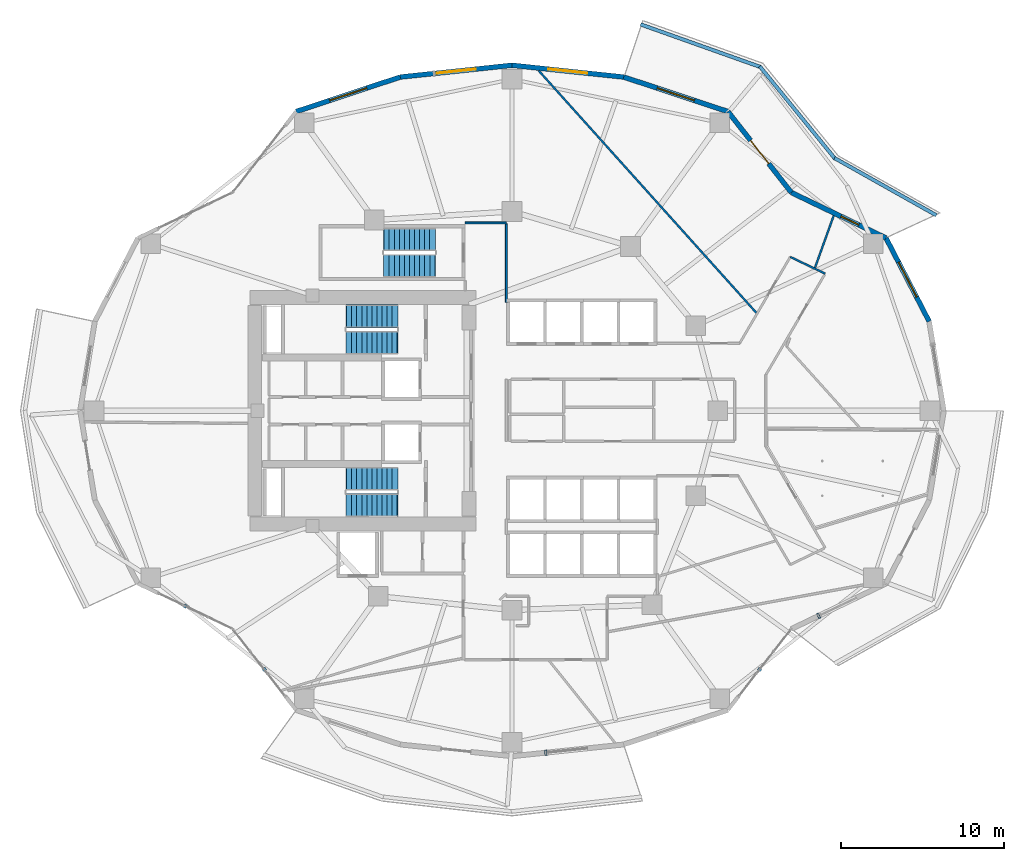
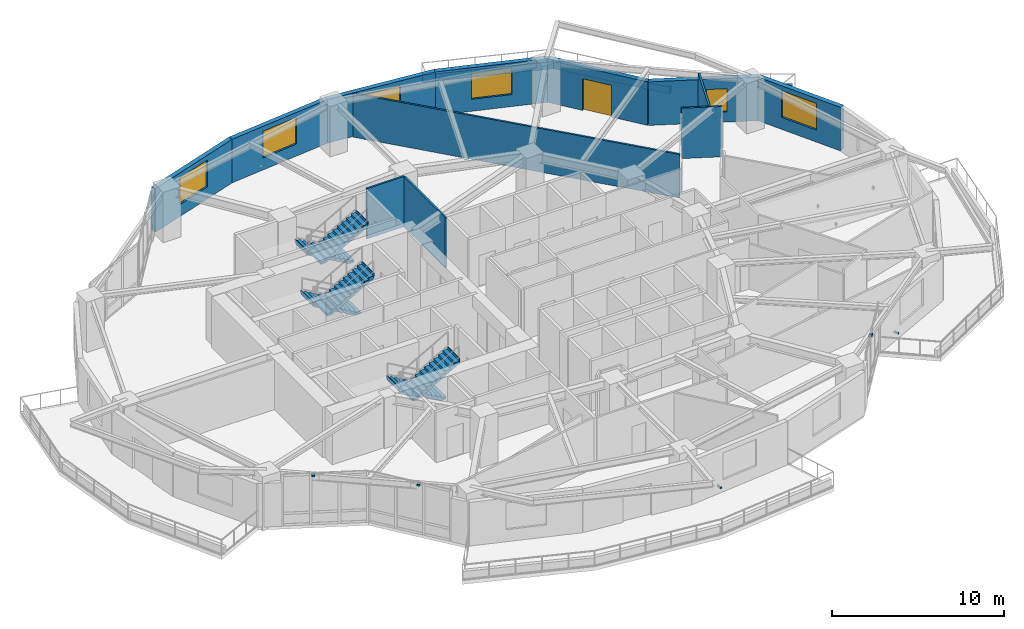
# One storey, part 12 of 18: 15 walls, 6 stair flights, 6 windows, 5 discrete accessories, 1 door, 7 openings, 3 elements without a shape of their own.
"""IFC4 building model written with IfcOpenShell, lengths in metres."""

from ifc_helpers import new_model, si_unit, direction, frame, frame_2d, origin, origin_2d, place, context, subcontext, project, spatial, polyline, rectangle, outline, extrude, material, layer, layer_set, type_object, element, fill, aggregate, save


model = new_model("IFC4")

# Units and contexts
model_context = context("Model", 3, precision=1e-05, world=origin(), true_north=direction((0.0, 1.0)))
body_context = subcontext(model_context, "Body", "Model", "MODEL_VIEW")
ifc_project = project(units=[si_unit("LENGTHUNIT", "METRE"), si_unit("AREAUNIT", "SQUARE_METRE"), si_unit("VOLUMEUNIT", "CUBIC_METRE"), si_unit("PLANEANGLEUNIT", "RADIAN"), si_unit("MASSUNIT", "GRAM", prefix="KILO")], contexts=[model_context])

# Site, building, storey
site_placement = place(None, origin())
site = spatial("IfcSite", under=ifc_project, at=site_placement, CompositionType="ELEMENT")
building_placement = place(site_placement, origin())
building = spatial("IfcBuilding", under=site, at=building_placement, Name="Kolvaren Gate Tower and Convention Centre", CompositionType="ELEMENT")
storey_placement = place(building_placement, frame((0.0, 0.0, 53.449951171875)))
storey = spatial("IfcBuildingStorey", under=building, at=storey_placement, Name="L12", CompositionType="ELEMENT", Elevation=53.449951171875)

# Walls
ifc_material_1 = material(Name="Fire-Rated Acoustic Gypsum Stud Partition", Category="gypsum")
ifc_layer_1 = layer(ifc_material_1, 0.1201171875)
ifc_layer_set_1 = layer_set([ifc_layer_1], Name="Fire-Rated Acoustic Gypsum Stud Partition")
wall_type_1 = type_object("IfcWallType", Name="ARCH-WL-PART-120", PredefinedType="PARTITIONING", material=ifc_layer_set_1)
wall_1_placement = place(storey_placement, frame((27.25, 38.5, 0.0), z_axis=(0.0, 0.0, 1.0), x_axis=(1.0, 0.0, 0.0)))
element("IfcWall", 1, at=wall_1_placement, inside=storey, type_object=wall_type_1, Name="Interior Partition WL-L12-INT-027", PredefinedType="PARTITIONING", context=body_context, shape_type="SweptSolid", body=[
    extrude(rectangle(XDim=2.530029296875, YDim=0.1201171875, at=frame_2d((1.26513671875, 0.0))), origin(), (0.0, 0.0, 1.0), 3.570068359375),
])
wall_2_placement = place(storey_placement, frame((29.780029296875, 33.639892578125, 0.0), z_axis=(0.0, 0.0, 1.0), x_axis=(0.0, 1.0, 0.0)))
element("IfcWall", 2, at=wall_2_placement, inside=storey, type_object=wall_type_1, Name="Interior Partition WL-L12-INT-030", PredefinedType="PARTITIONING", context=body_context, shape_type="SweptSolid", body=[
    extrude(rectangle(XDim=4.798095703125, YDim=0.1201171875, at=frame_2d((2.39892578125, 0.0))), origin(), (0.0, 0.0, 1.0), 3.570068359375),
])
wall_3_placement = place(storey_placement, frame((47.160888671875, 36.4189453125, 0.0), z_axis=(0.0, 0.0, 1.0), x_axis=(0.901268684569, -0.433260612351, 0.0)))
element("IfcWall", 3, at=wall_3_placement, inside=storey, type_object=wall_type_1, Name="Interior Partition WL-L12-INT-033", PredefinedType="PARTITIONING", context=body_context, shape_type="SweptSolid", body=[
    extrude(rectangle(XDim=2.367919921875, YDim=0.1201171875, at=frame_2d((1.18408203125, 0.0))), origin(), (0.0, 0.0, 1.0), 3.570068359375),
])
wall_4_placement = place(storey_placement, frame((31.751953125, 47.82568359375, 0.0), z_axis=(0.0, 0.0, 1.0), x_axis=(0.668565546791, -0.743653218674, 0.0)))
element("IfcWall", 4, at=wall_4_placement, inside=storey, type_object=wall_type_1, Name="Interior Partition WL-L12-INT-053", PredefinedType="PARTITIONING", context=body_context, shape_type="SweptSolid", body=[
    extrude(rectangle(XDim=19.94091796875, YDim=0.1201171875, at=frame_2d((9.970458984375, 0.0))), origin(), (0.0, 0.0, 1.0), 3.093017578125),
])
wall_5_placement = place(storey_placement, frame((48.674072265625, 35.760498046875, 0.0), z_axis=(0.0, 0.0, 1.0), x_axis=(0.338241657323, 0.941059286789, 0.0)))
element("IfcWall", 5, at=wall_5_placement, inside=storey, type_object=wall_type_1, Name="Interior Partition WL-L12-INT-056", PredefinedType="PARTITIONING", context=body_context, shape_type="SweptSolid", body=[
    extrude(rectangle(XDim=3.3837890625, YDim=0.1201171875, at=frame_2d((1.69189453125, 0.0))), origin(), (0.0, 0.0, 1.0), 3.570068359375),
])
ifc_material_2 = material(Name="Piedmont Cream Honed Limestone Cladding", Category="masonry")
ifc_layer_2 = layer(ifc_material_2, 0.219970703125)
ifc_layer_set_2 = layer_set([ifc_layer_2], Name="Piedmont Cream Honed Limestone Cladding")
wall_type_2 = type_object("IfcWallType", Name="ARCH-WL-PLANTER-220", PredefinedType="PARAPET", material=ifc_layer_set_2)
wall_6_placement = place(storey_placement, frame((49.867919921875, 42.469482421875, 0.0), z_axis=(0.0, 0.0, 1.0), x_axis=(0.871775109335, -0.489906275468, 0.0)))
element("IfcWall", 6, at=wall_6_placement, inside=storey, type_object=wall_type_2, Name="Vertical-Forest Balcony Stone Planter Kerb PK-L12-1.1", PredefinedType="PARAPET", context=body_context, shape_type="SweptSolid", body=[
    extrude(rectangle(XDim=7.152099609375, YDim=0.219970703125, at=frame_2d((3.576171875, 0.0))), origin(), (0.0, 0.0, 1.0), 0.52001953125),
])
wall_7_placement = place(storey_placement, frame((45.2919921875, 48.08203125, 0.0), z_axis=(0.0, 0.0, 1.0), x_axis=(0.631819273026, -0.775115737315, 0.0)))
element("IfcWall", 7, at=wall_7_placement, inside=storey, type_object=wall_type_2, Name="Vertical-Forest Balcony Stone Planter Kerb PK-L12-1.2", PredefinedType="PARAPET", context=body_context, shape_type="SweptSolid", body=[
    extrude(rectangle(XDim=7.31591796875, YDim=0.219970703125, at=frame_2d((3.657958984375, 0.0))), origin(), (0.0, 0.0, 1.0), 0.52001953125),
])
wall_8_placement = place(storey_placement, frame((38.001220703125, 50.651123046875, 0.0), z_axis=(0.0, 0.0, 1.0), x_axis=(0.942203722205, -0.335040513764, 0.0)))
element("IfcWall", 8, at=wall_8_placement, inside=storey, type_object=wall_type_2, Name="Vertical-Forest Balcony Stone Planter Kerb PK-L12-1.3", PredefinedType="PARAPET", context=body_context, shape_type="SweptSolid", body=[
    extrude(rectangle(XDim=7.80712890625, YDim=0.219970703125, at=frame_2d((3.903564453125, 0.0))), origin(), (0.0, 0.0, 1.0), 0.52001953125),
])

# Wall, opening, window
ifc_layer_3 = layer(ifc_material_2, 0.300048828125)
ifc_layer_set_3 = layer_set([ifc_layer_3], Name="Piedmont Cream Honed Limestone Cladding")
wall_type_3 = type_object("IfcWallType", Name="ARCH-WL-STONE-300", PredefinedType="SOLIDWALL", material=ifc_layer_set_3)
wall_9_placement = place(storey_placement, frame((53.0205078125, 37.574951171875, 0.0), z_axis=(0.0, 0.0, 1.0), x_axis=(0.459800981414, -0.888021991558, 0.0)))
wall_9 = element("IfcWall", 9, at=wall_9_placement, inside=storey, type_object=wall_type_3, Name="Tower L12 Honed Stone Spandrel Wall EW-01", PredefinedType="SOLIDWALL", context=body_context, shape_type="SweptSolid", body=[
    extrude(rectangle(XDim=5.744140625, YDim=0.300048828125, at=frame_2d((2.8720703125, 0.0))), origin(), (0.0, 0.0, 1.0), 3.093017578125),
])
opening_1_placement = place(wall_9_placement, frame((1.672119140625, 0.0, 0.85009765625)))
opening_1 = element("IfcOpeningElement", 10, at=opening_1_placement, cuts=wall_9, Name="Opening W-01", PredefinedType="OPENING", context=body_context, shape_type="SweptSolid", body=[
    extrude(rectangle(XDim=2.39990234375, YDim=1.89990234375, at=frame_2d((1.199951171875, 0.949951171875))), frame((0.0, 0.159912109375, 0.0), z_axis=(0.0, -1.0, 0.0), x_axis=(1.0, 0.0, 0.0)), (0.0, 0.0, 1.0), 0.320068359375),
])
ifc_material_3 = material(Name="Low-E Triple Insulated Glazing Unit 44 mm", Category="glass")
window_type_1 = type_object("IfcWindowType", Name="ARCH-WN-OFF-2400", PartitioningType="SINGLE_PANEL", PredefinedType="WINDOW", material=ifc_material_3)
window_1_placement = place(opening_1_placement, origin())
window_1 = element("IfcWindow", 11, at=window_1_placement, inside=storey, type_object=window_type_1, Name="Tower L12 Punched Stone Facade Window W-01", OverallHeight=1.89990234375, OverallWidth=2.39990234375, PartitioningType="SINGLE_PANEL", PredefinedType="WINDOW", context=body_context, shape_type="SweptSolid", body=[
    extrude(rectangle(XDim=2.39990234375, YDim=1.89990234375, at=frame_2d((1.199951171875, 0.949951171875))), frame((0.0, 0.030029296875, 0.0), z_axis=(0.0, -1.0, 0.0), x_axis=(1.0, 0.0, 0.0)), (0.0, 0.0, 1.0), 0.06005859375),
])
fill(opening_1, window_1)

wall_10_placement = place(storey_placement, frame((47.223876953125, 40.360107421875, 0.0), z_axis=(0.0, 0.0, 1.0), x_axis=(0.901354747727, -0.433081538224, 0.0)))
wall_10 = element("IfcWall", 12, at=wall_10_placement, inside=storey, type_object=wall_type_3, Name="Tower L12 Honed Stone Spandrel Wall EW-02", PredefinedType="SOLIDWALL", context=body_context, shape_type="SweptSolid", body=[
    extrude(rectangle(XDim=6.430908203125, YDim=0.300048828125, at=frame_2d((3.21533203125, 0.0))), origin(), (0.0, 0.0, 1.0), 3.093017578125),
])
opening_2_placement = place(wall_10_placement, frame((3.3798828125, 0.0, 0.719970703125)))
opening_2 = element("IfcOpeningElement", 13, at=opening_2_placement, cuts=wall_10, Name="Opening W-04", PredefinedType="OPENING", context=body_context, shape_type="SweptSolid", body=[
    extrude(rectangle(XDim=1.199951171875, YDim=1.64990234375, at=frame_2d((0.60009765625, 0.824951171875))), frame((0.0, 0.159912109375, 0.0), z_axis=(0.0, -1.0, 0.0), x_axis=(1.0, 0.0, 0.0)), (0.0, 0.0, 1.0), 0.320068359375),
])
window_type_2 = type_object("IfcWindowType", Name="ARCH-WN-NARROW-1200", PartitioningType="SINGLE_PANEL", PredefinedType="WINDOW", material=ifc_material_3)
window_2_placement = place(opening_2_placement, origin())
window_2 = element("IfcWindow", 14, at=window_2_placement, inside=storey, type_object=window_type_2, Name="Tower L12 Punched Stone Facade Window W-02", OverallHeight=1.64990234375, OverallWidth=1.199951171875, PartitioningType="SINGLE_PANEL", PredefinedType="WINDOW", context=body_context, shape_type="SweptSolid", body=[
    extrude(rectangle(XDim=1.199951171875, YDim=1.64990234375, at=frame_2d((0.60009765625, 0.824951171875))), frame((0.0, 0.030029296875, 0.0), z_axis=(0.0, -1.0, 0.0), x_axis=(1.0, 0.0, 0.0)), (0.0, 0.0, 1.0), 0.06005859375),
])
fill(opening_2, window_2)

# Wall, opening, door
wall_11_placement = place(storey_placement, frame((43.34375, 45.31640625, 0.0), z_axis=(0.0, 0.0, 1.0), x_axis=(0.616434798832, -0.78740595552, 0.0)))
wall_11 = element("IfcWall", 15, at=wall_11_placement, inside=storey, type_object=wall_type_3, Name="Tower L12 Honed Stone Spandrel Wall EW-03", PredefinedType="SOLIDWALL", context=body_context, shape_type="SweptSolid", body=[
    extrude(rectangle(XDim=6.29443359375, YDim=0.300048828125, at=frame_2d((3.147216796875, 0.0))), origin(), (0.0, 0.0, 1.0), 3.093017578125),
])
opening_3_placement = place(wall_11_placement, frame((2.2470703125, 0.0, 0.0)))
opening_3 = element("IfcOpeningElement", 16, at=opening_3_placement, cuts=wall_11, Name="Opening DB-01", PredefinedType="OPENING", context=body_context, shape_type="SweptSolid", body=[
    extrude(rectangle(XDim=1.800048828125, YDim=2.25, at=frame_2d((0.89990234375, 1.125))), frame((0.0, 0.159912109375, 0.0), z_axis=(0.0, -1.0, 0.0), x_axis=(1.0, 0.0, 0.0)), (0.0, 0.0, 1.0), 0.320068359375),
])
ifc_material_4 = material(Name="Anodized Architectural Aluminium Alloy 6063-T6", Category="aluminium")
door_type = type_object("IfcDoorType", Name="ARCH-DR-BALC-1800", OperationType="SLIDING_TO_LEFT", PredefinedType="DOOR", material=ifc_material_4)
door_placement = place(opening_3_placement, origin())
door = element("IfcDoor", 17, at=door_placement, inside=storey, type_object=door_type, Name="Planted Sky Terrace Access Door DB-L12-03", OperationType="SLIDING_TO_LEFT", OverallHeight=2.25, OverallWidth=1.800048828125, PredefinedType="DOOR", context=body_context, shape_type="SweptSolid", body=[
    extrude(rectangle(XDim=1.800048828125, YDim=2.25, at=frame_2d((0.89990234375, 1.125))), frame((0.0, 0.02490234375, 0.0), z_axis=(0.0, -1.0, 0.0), x_axis=(1.0, 0.0, 0.0)), (0.0, 0.0, 1.0), 0.050048828125),
])
fill(opening_3, door)

# Wall, opening, window
wall_12_placement = place(storey_placement, frame((36.967529296875, 47.42919921875, 0.0), z_axis=(0.0, 0.0, 1.0), x_axis=(0.949245153629, -0.314537181127, 0.0)))
wall_12 = element("IfcWall", 18, at=wall_12_placement, inside=storey, type_object=wall_type_3, Name="Tower L12 Honed Stone Spandrel Wall EW-04", PredefinedType="SOLIDWALL", context=body_context, shape_type="SweptSolid", body=[
    extrude(rectangle(XDim=6.717041015625, YDim=0.300048828125, at=frame_2d((3.3583984375, 0.0))), origin(), (0.0, 0.0, 1.0), 3.093017578125),
])
opening_4_placement = place(wall_12_placement, frame((2.158935546875, 0.0, 0.85009765625)))
opening_4 = element("IfcOpeningElement", 19, at=opening_4_placement, cuts=wall_12, Name="Opening W-01", PredefinedType="OPENING", context=body_context, shape_type="SweptSolid", body=[
    extrude(rectangle(XDim=2.39990234375, YDim=1.89990234375, at=frame_2d((1.199951171875, 0.949951171875))), frame((0.0, 0.159912109375, 0.0), z_axis=(0.0, -1.0, 0.0), x_axis=(1.0, 0.0, 0.0)), (0.0, 0.0, 1.0), 0.320068359375),
])
window_3_placement = place(opening_4_placement, origin())
window_3 = element("IfcWindow", 20, at=window_3_placement, inside=storey, type_object=window_type_1, Name="Tower L12 Punched Stone Facade Window W-04", OverallHeight=1.89990234375, OverallWidth=2.39990234375, PartitioningType="SINGLE_PANEL", PredefinedType="WINDOW", context=body_context, shape_type="SweptSolid", body=[
    extrude(rectangle(XDim=2.39990234375, YDim=1.89990234375, at=frame_2d((1.199951171875, 0.949951171875))), frame((0.0, 0.030029296875, 0.0), z_axis=(0.0, -1.0, 0.0), x_axis=(1.0, 0.0, 0.0)), (0.0, 0.0, 1.0), 0.06005859375),
])
fill(opening_4, window_3)

wall_13_placement = place(storey_placement, frame((30.125, 48.14990234375, 0.0), z_axis=(0.0, 0.0, 1.0), x_axis=(0.994498840295, -0.104747585419, 0.0)))
wall_13 = element("IfcWall", 21, at=wall_13_placement, inside=storey, type_object=wall_type_3, Name="Tower L12 Honed Stone Spandrel Wall EW-05", PredefinedType="SOLIDWALL", context=body_context, shape_type="SweptSolid", body=[
    extrude(rectangle(XDim=6.88037109375, YDim=0.300048828125, at=frame_2d((3.440185546875, 0.0))), origin(), (0.0, 0.0, 1.0), 3.093017578125),
])
opening_5_placement = place(wall_13_placement, frame((2.239990234375, 0.0, 0.85009765625)))
opening_5 = element("IfcOpeningElement", 22, at=opening_5_placement, cuts=wall_13, Name="Opening W-01", PredefinedType="OPENING", context=body_context, shape_type="SweptSolid", body=[
    extrude(rectangle(XDim=2.39990234375, YDim=1.89990234375, at=frame_2d((1.199951171875, 0.949951171875))), frame((0.0, 0.159912109375, 0.0), z_axis=(0.0, -1.0, 0.0), x_axis=(1.0, 0.0, 0.0)), (0.0, 0.0, 1.0), 0.320068359375),
])
window_4_placement = place(opening_5_placement, origin())
window_4 = element("IfcWindow", 23, at=window_4_placement, inside=storey, type_object=window_type_1, Name="Tower L12 Punched Stone Facade Window W-05", OverallHeight=1.89990234375, OverallWidth=2.39990234375, PartitioningType="SINGLE_PANEL", PredefinedType="WINDOW", context=body_context, shape_type="SweptSolid", body=[
    extrude(rectangle(XDim=2.39990234375, YDim=1.89990234375, at=frame_2d((1.199951171875, 0.949951171875))), frame((0.0, 0.030029296875, 0.0), z_axis=(0.0, -1.0, 0.0), x_axis=(1.0, 0.0, 0.0)), (0.0, 0.0, 1.0), 0.06005859375),
])
fill(opening_5, window_4)

wall_14_placement = place(storey_placement, frame((23.282470703125, 47.42919921875, 0.0), z_axis=(0.0, 0.0, 1.0), x_axis=(0.994498840295, 0.104747585419, 0.0)))
wall_14 = element("IfcWall", 24, at=wall_14_placement, inside=storey, type_object=wall_type_3, Name="Tower L12 Honed Stone Spandrel Wall EW-06", PredefinedType="SOLIDWALL", context=body_context, shape_type="SweptSolid", body=[
    extrude(rectangle(XDim=6.88037109375, YDim=0.300048828125, at=frame_2d((3.440185546875, 0.0))), origin(), (0.0, 0.0, 1.0), 3.093017578125),
])
opening_6_placement = place(wall_14_placement, frame((2.239990234375, 0.0, 0.85009765625)))
opening_6 = element("IfcOpeningElement", 25, at=opening_6_placement, cuts=wall_14, Name="Opening W-01", PredefinedType="OPENING", context=body_context, shape_type="SweptSolid", body=[
    extrude(rectangle(XDim=2.39990234375, YDim=1.89990234375, at=frame_2d((1.199951171875, 0.949951171875))), frame((0.0, 0.159912109375, 0.0), z_axis=(0.0, -1.0, 0.0), x_axis=(1.0, 0.0, 0.0)), (0.0, 0.0, 1.0), 0.320068359375),
])
window_5_placement = place(opening_6_placement, origin())
window_5 = element("IfcWindow", 26, at=window_5_placement, inside=storey, type_object=window_type_1, Name="Tower L12 Punched Stone Facade Window W-06", OverallHeight=1.89990234375, OverallWidth=2.39990234375, PartitioningType="SINGLE_PANEL", PredefinedType="WINDOW", context=body_context, shape_type="SweptSolid", body=[
    extrude(rectangle(XDim=2.39990234375, YDim=1.89990234375, at=frame_2d((1.199951171875, 0.949951171875))), frame((0.0, 0.030029296875, 0.0), z_axis=(0.0, -1.0, 0.0), x_axis=(1.0, 0.0, 0.0)), (0.0, 0.0, 1.0), 0.06005859375),
])
fill(opening_6, window_5)

wall_15_placement = place(storey_placement, frame((16.90625, 45.31640625, 0.0), z_axis=(0.0, 0.0, 1.0), x_axis=(0.949245153629, 0.314537181127, 0.0)))
wall_15 = element("IfcWall", 27, at=wall_15_placement, inside=storey, type_object=wall_type_3, Name="Tower L12 Honed Stone Spandrel Wall EW-07", PredefinedType="SOLIDWALL", context=body_context, shape_type="SweptSolid", body=[
    extrude(rectangle(XDim=6.717041015625, YDim=0.300048828125, at=frame_2d((3.3583984375, 0.0))), origin(), (0.0, 0.0, 1.0), 3.093017578125),
])
opening_7_placement = place(wall_15_placement, frame((2.158935546875, 0.0, 0.85009765625)))
opening_7 = element("IfcOpeningElement", 28, at=opening_7_placement, cuts=wall_15, Name="Opening W-01", PredefinedType="OPENING", context=body_context, shape_type="SweptSolid", body=[
    extrude(rectangle(XDim=2.39990234375, YDim=1.89990234375, at=frame_2d((1.199951171875, 0.949951171875))), frame((0.0, 0.159912109375, 0.0), z_axis=(0.0, -1.0, 0.0), x_axis=(1.0, 0.0, 0.0)), (0.0, 0.0, 1.0), 0.320068359375),
])
window_6_placement = place(opening_7_placement, origin())
window_6 = element("IfcWindow", 29, at=window_6_placement, inside=storey, type_object=window_type_1, Name="Tower L12 Punched Stone Facade Window W-07", OverallHeight=1.89990234375, OverallWidth=2.39990234375, PartitioningType="SINGLE_PANEL", PredefinedType="WINDOW", context=body_context, shape_type="SweptSolid", body=[
    extrude(rectangle(XDim=2.39990234375, YDim=1.89990234375, at=frame_2d((1.199951171875, 0.949951171875))), frame((0.0, 0.030029296875, 0.0), z_axis=(0.0, -1.0, 0.0), x_axis=(1.0, 0.0, 0.0)), (0.0, 0.0, 1.0), 0.06005859375),
])
fill(opening_7, window_6)

# Stair, stair flights
ifc_material_5 = material(Name="Concrete C50/60", Category="concrete")
stair_type = type_object("IfcStairType", Name="STR-STAIR-CORE", PredefinedType="HALF_TURN_STAIR", material=ifc_material_5)
stair_1_placement = place(storey_placement, origin())
stair_1 = element("IfcStair", 30, at=stair_1_placement, inside=storey, type_object=stair_type, Name="L12 Tower North Exit Stair ST-T1", PredefinedType="HALF_TURN_STAIR")
stair_flight_type = type_object("IfcStairFlightType", Name="STR-SFL-1420", PredefinedType="STRAIGHT", material=ifc_material_5)
stair_flight_1_placement = place(storey_placement, frame((23.10009765625, 32.7900390625, 0.0), z_axis=(0.0, 0.0, 1.0), x_axis=(-1.0, 0.0, 0.0)))
stair_flight_1 = element("IfcStairFlight", 31, at=stair_flight_1_placement, type_object=stair_flight_type, Name="ST-T1 flight 1", NumberOfRisers=11, NumberOfTreads=10, PredefinedType="STRAIGHT", RiserHeight=0.175, TreadLength=0.31, context=body_context, shape_type="SweptSolid", body=[
    extrude(outline(polyline([(-0.034912109375, 0.0), (-0.034912109375, 0.175048828125), (0.31005859375, 0.175048828125), (0.31005859375, 0.35009765625), (0.6201171875, 0.35009765625), (0.6201171875, 0.52490234375), (0.929931640625, 0.52490234375), (0.929931640625, 0.699951171875), (1.239990234375, 0.699951171875), (1.239990234375, 0.875), (1.550048828125, 0.875), (1.550048828125, 1.050048828125), (1.860107421875, 1.050048828125), (1.860107421875, 1.22509765625), (2.169921875, 1.22509765625), (2.169921875, 1.39990234375), (2.47998046875, 1.39990234375), (2.47998046875, 1.574951171875), (2.7900390625, 1.574951171875), (2.7900390625, 1.75), (3.10009765625, 1.75), (3.10009765625, 1.925048828125), (3.14501953125, 1.925048828125), (3.14501953125, 1.764892578125), (3.10009765625, 1.577880859375), (0.304931640625, 0.0), (-0.034912109375, 0.0)])), frame((0.0, 0.7099609375, 0.0), z_axis=(0.0, -1.0, 0.0), x_axis=(1.0, 0.0, 0.0)), (0.0, 0.0, 1.0), 1.419921875),
])
stair_flight_2_placement = place(storey_placement, frame((20.0, 31.169921875, 1.925048828125), z_axis=(0.0, 0.0, 1.0), x_axis=(1.0, 0.0, 0.0)))
stair_flight_2 = element("IfcStairFlight", 32, at=stair_flight_2_placement, type_object=stair_flight_type, Name="ST-T1 flight 2", NumberOfRisers=11, NumberOfTreads=10, PredefinedType="STRAIGHT", RiserHeight=0.175, TreadLength=0.31, context=body_context, shape_type="SweptSolid", body=[
    extrude(outline(polyline([(-0.034912109375, 0.0), (-0.034912109375, 0.175048828125), (0.31005859375, 0.175048828125), (0.31005859375, 0.35009765625), (0.6201171875, 0.35009765625), (0.6201171875, 0.52490234375), (0.929931640625, 0.52490234375), (0.929931640625, 0.699951171875), (1.239990234375, 0.699951171875), (1.239990234375, 0.875), (1.550048828125, 0.875), (1.550048828125, 1.050048828125), (1.860107421875, 1.050048828125), (1.860107421875, 1.22509765625), (2.169921875, 1.22509765625), (2.169921875, 1.39990234375), (2.47998046875, 1.39990234375), (2.47998046875, 1.574951171875), (2.7900390625, 1.574951171875), (2.7900390625, 1.75), (3.10009765625, 1.75), (3.10009765625, 1.925048828125), (3.14501953125, 1.925048828125), (3.14501953125, 1.764892578125), (3.10009765625, 1.577880859375), (0.304931640625, 0.0), (-0.034912109375, 0.0)])), frame((0.0, 0.7099609375, 0.0), z_axis=(0.0, -1.0, 0.0), x_axis=(1.0, 0.0, 0.0)), (0.0, 0.0, 1.0), 1.419921875),
])
aggregate(stair_1, [stair_flight_1, stair_flight_2])

stair_2_placement = place(storey_placement, origin())
stair_2 = element("IfcStair", 33, at=stair_2_placement, inside=storey, type_object=stair_type, Name="L12 Tower South Exit Stair ST-T2", PredefinedType="HALF_TURN_STAIR")
stair_flight_3_placement = place(storey_placement, frame((23.10009765625, 22.830078125, 0.0), z_axis=(0.0, 0.0, 1.0), x_axis=(-1.0, 0.0, 0.0)))
stair_flight_3 = element("IfcStairFlight", 34, at=stair_flight_3_placement, type_object=stair_flight_type, Name="ST-T2 flight 1", NumberOfRisers=11, NumberOfTreads=10, PredefinedType="STRAIGHT", RiserHeight=0.175, TreadLength=0.31, context=body_context, shape_type="SweptSolid", body=[
    extrude(outline(polyline([(-0.034912109375, 0.0), (-0.034912109375, 0.175048828125), (0.31005859375, 0.175048828125), (0.31005859375, 0.35009765625), (0.6201171875, 0.35009765625), (0.6201171875, 0.52490234375), (0.929931640625, 0.52490234375), (0.929931640625, 0.699951171875), (1.239990234375, 0.699951171875), (1.239990234375, 0.875), (1.550048828125, 0.875), (1.550048828125, 1.050048828125), (1.860107421875, 1.050048828125), (1.860107421875, 1.22509765625), (2.169921875, 1.22509765625), (2.169921875, 1.39990234375), (2.47998046875, 1.39990234375), (2.47998046875, 1.574951171875), (2.7900390625, 1.574951171875), (2.7900390625, 1.75), (3.10009765625, 1.75), (3.10009765625, 1.925048828125), (3.14501953125, 1.925048828125), (3.14501953125, 1.764892578125), (3.10009765625, 1.577880859375), (0.304931640625, 0.0), (-0.034912109375, 0.0)])), frame((0.0, 0.7099609375, 0.0), z_axis=(0.0, -1.0, 0.0), x_axis=(1.0, 0.0, 0.0)), (0.0, 0.0, 1.0), 1.419921875),
])
stair_flight_4_placement = place(storey_placement, frame((20.0, 21.2099609375, 1.925048828125), z_axis=(0.0, 0.0, 1.0), x_axis=(1.0, 0.0, 0.0)))
stair_flight_4 = element("IfcStairFlight", 35, at=stair_flight_4_placement, type_object=stair_flight_type, Name="ST-T2 flight 2", NumberOfRisers=11, NumberOfTreads=10, PredefinedType="STRAIGHT", RiserHeight=0.175, TreadLength=0.31, context=body_context, shape_type="SweptSolid", body=[
    extrude(outline(polyline([(-0.034912109375, 0.0), (-0.034912109375, 0.175048828125), (0.31005859375, 0.175048828125), (0.31005859375, 0.35009765625), (0.6201171875, 0.35009765625), (0.6201171875, 0.52490234375), (0.929931640625, 0.52490234375), (0.929931640625, 0.699951171875), (1.239990234375, 0.699951171875), (1.239990234375, 0.875), (1.550048828125, 0.875), (1.550048828125, 1.050048828125), (1.860107421875, 1.050048828125), (1.860107421875, 1.22509765625), (2.169921875, 1.22509765625), (2.169921875, 1.39990234375), (2.47998046875, 1.39990234375), (2.47998046875, 1.574951171875), (2.7900390625, 1.574951171875), (2.7900390625, 1.75), (3.10009765625, 1.75), (3.10009765625, 1.925048828125), (3.14501953125, 1.925048828125), (3.14501953125, 1.764892578125), (3.10009765625, 1.577880859375), (0.304931640625, 0.0), (-0.034912109375, 0.0)])), frame((0.0, 0.7099609375, 0.0), z_axis=(0.0, -1.0, 0.0), x_axis=(1.0, 0.0, 0.0)), (0.0, 0.0, 1.0), 1.419921875),
])
aggregate(stair_2, [stair_flight_3, stair_flight_4])

stair_3_placement = place(storey_placement, origin())
stair_3 = element("IfcStair", 36, at=stair_3_placement, inside=storey, type_object=stair_type, Name="L12 Tower Mid-Zone Exit Stair ST-T3", PredefinedType="HALF_TURN_STAIR")
stair_flight_5_placement = place(storey_placement, frame((25.39990234375, 37.489990234375, 0.0), z_axis=(0.0, 0.0, 1.0), x_axis=(-1.0, 0.0, 0.0)))
stair_flight_5 = element("IfcStairFlight", 37, at=stair_flight_5_placement, type_object=stair_flight_type, Name="ST-T3 flight 1", NumberOfRisers=11, NumberOfTreads=10, PredefinedType="STRAIGHT", RiserHeight=0.175, TreadLength=0.31, context=body_context, shape_type="SweptSolid", body=[
    extrude(outline(polyline([(-0.034912109375, 0.0), (-0.034912109375, 0.175048828125), (0.31005859375, 0.175048828125), (0.31005859375, 0.35009765625), (0.6201171875, 0.35009765625), (0.6201171875, 0.52490234375), (0.929931640625, 0.52490234375), (0.929931640625, 0.699951171875), (1.239990234375, 0.699951171875), (1.239990234375, 0.875), (1.550048828125, 0.875), (1.550048828125, 1.050048828125), (1.860107421875, 1.050048828125), (1.860107421875, 1.22509765625), (2.169921875, 1.22509765625), (2.169921875, 1.39990234375), (2.47998046875, 1.39990234375), (2.47998046875, 1.574951171875), (2.7900390625, 1.574951171875), (2.7900390625, 1.75), (3.10009765625, 1.75), (3.10009765625, 1.925048828125), (3.14501953125, 1.925048828125), (3.14501953125, 1.764892578125), (3.10009765625, 1.577880859375), (0.304931640625, 0.0), (-0.034912109375, 0.0)])), frame((0.0, 0.7099609375, 0.0), z_axis=(0.0, -1.0, 0.0), x_axis=(1.0, 0.0, 0.0)), (0.0, 0.0, 1.0), 1.419921875),
])
stair_flight_6_placement = place(storey_placement, frame((22.300048828125, 35.8701171875, 1.925048828125), z_axis=(0.0, 0.0, 1.0), x_axis=(1.0, 0.0, 0.0)))
stair_flight_6 = element("IfcStairFlight", 38, at=stair_flight_6_placement, type_object=stair_flight_type, Name="ST-T3 flight 2", NumberOfRisers=11, NumberOfTreads=10, PredefinedType="STRAIGHT", RiserHeight=0.175, TreadLength=0.31, context=body_context, shape_type="SweptSolid", body=[
    extrude(outline(polyline([(-0.034912109375, 0.0), (-0.034912109375, 0.175048828125), (0.31005859375, 0.175048828125), (0.31005859375, 0.35009765625), (0.6201171875, 0.35009765625), (0.6201171875, 0.52490234375), (0.929931640625, 0.52490234375), (0.929931640625, 0.699951171875), (1.239990234375, 0.699951171875), (1.239990234375, 0.875), (1.550048828125, 0.875), (1.550048828125, 1.050048828125), (1.860107421875, 1.050048828125), (1.860107421875, 1.22509765625), (2.169921875, 1.22509765625), (2.169921875, 1.39990234375), (2.47998046875, 1.39990234375), (2.47998046875, 1.574951171875), (2.7900390625, 1.574951171875), (2.7900390625, 1.75), (3.10009765625, 1.75), (3.10009765625, 1.925048828125), (3.14501953125, 1.925048828125), (3.14501953125, 1.764892578125), (3.10009765625, 1.577880859375), (0.304931640625, 0.0), (-0.034912109375, 0.0)])), frame((0.0, 0.7099609375, 0.0), z_axis=(0.0, -1.0, 0.0), x_axis=(1.0, 0.0, 0.0)), (0.0, 0.0, 1.0), 1.419921875),
])
aggregate(stair_3, [stair_flight_5, stair_flight_6])

# Discrete accessories
discrete_accessory_type = type_object("IfcDiscreteAccessoryType", Name="ARCH-ACC-BRACKET-120", PredefinedType="BRACKET", material=ifc_material_4)
for number, where, z_axis, x_axis, name in (
    (39, (10.127685546875, 15.032470703125, 3.389892578125), (0.0, 0.0, 1.0), (0.901357634097, -0.433075530889, 0.0), "Solar Screen Spandrel Anchor Bracket BK-L12-14"),
    (40, (14.966064453125, 11.161865234375, 3.389892578125), (0.0, 0.0, 1.0), (0.616431370541, -0.787408639407, 0.0), "Solar Screen Spandrel Anchor Bracket BK-L12-15"),
):
    element("IfcDiscreteAccessory", number, at=place(storey_placement, frame(where, z_axis=z_axis, x_axis=x_axis)), inside=storey, type_object=discrete_accessory_type, Name=name, PredefinedType="BRACKET", context=body_context, shape_type="SweptSolid", body=[
        extrude(rectangle(XDim=0.179931640625, YDim=0.219970703125, at=origin_2d()), origin(), (0.0, 0.0, 1.0), 0.1201171875),
    ])
discrete_accessory_1_placement = place(storey_placement, frame((32.193603515625, 6.06787109375, 0.2900390625), z_axis=(0.0, 0.0, 1.0), x_axis=(0.994498884311, 0.104747167526, 0.0)))
element("IfcDiscreteAccessory", 41, at=discrete_accessory_1_placement, inside=storey, type_object=discrete_accessory_type, Name="Ceramic Fin Wall Anchor Bracket FBK-L12-18", PredefinedType="BRACKET", context=body_context, shape_type="SweptSolid", body=[
    extrude(rectangle(XDim=0.1201171875, YDim=0.320068359375, at=origin_2d()), origin(), (0.0, 0.0, 1.0), 0.1201171875),
])
discrete_accessory_2_placement = place(storey_placement, frame((45.283935546875, 11.161865234375, 3.389892578125), z_axis=(0.0, 0.0, 1.0), x_axis=(0.616431370541, 0.787408639407, 0.0)))
element("IfcDiscreteAccessory", 42, at=discrete_accessory_2_placement, inside=storey, type_object=discrete_accessory_type, Name="Solar Screen Spandrel Anchor Bracket BK-L12-20", PredefinedType="BRACKET", context=body_context, shape_type="SweptSolid", body=[
    extrude(rectangle(XDim=0.179931640625, YDim=0.219970703125, at=origin_2d()), origin(), (0.0, 0.0, 1.0), 0.1201171875),
])
discrete_accessory_3_placement = place(storey_placement, frame((48.89599609375, 14.443359375, 0.2900390625), z_axis=(0.0, 0.0, 1.0), x_axis=(0.901357634097, 0.433075530889, 0.0)))
element("IfcDiscreteAccessory", 43, at=discrete_accessory_3_placement, inside=storey, type_object=discrete_accessory_type, Name="Ceramic Fin Wall Anchor Bracket FBK-L12-21", PredefinedType="BRACKET", context=body_context, shape_type="SweptSolid", body=[
    extrude(rectangle(XDim=0.1201171875, YDim=0.320068359375, at=origin_2d()), origin(), (0.0, 0.0, 1.0), 0.1201171875),
])

save(model, "model.ifc")
